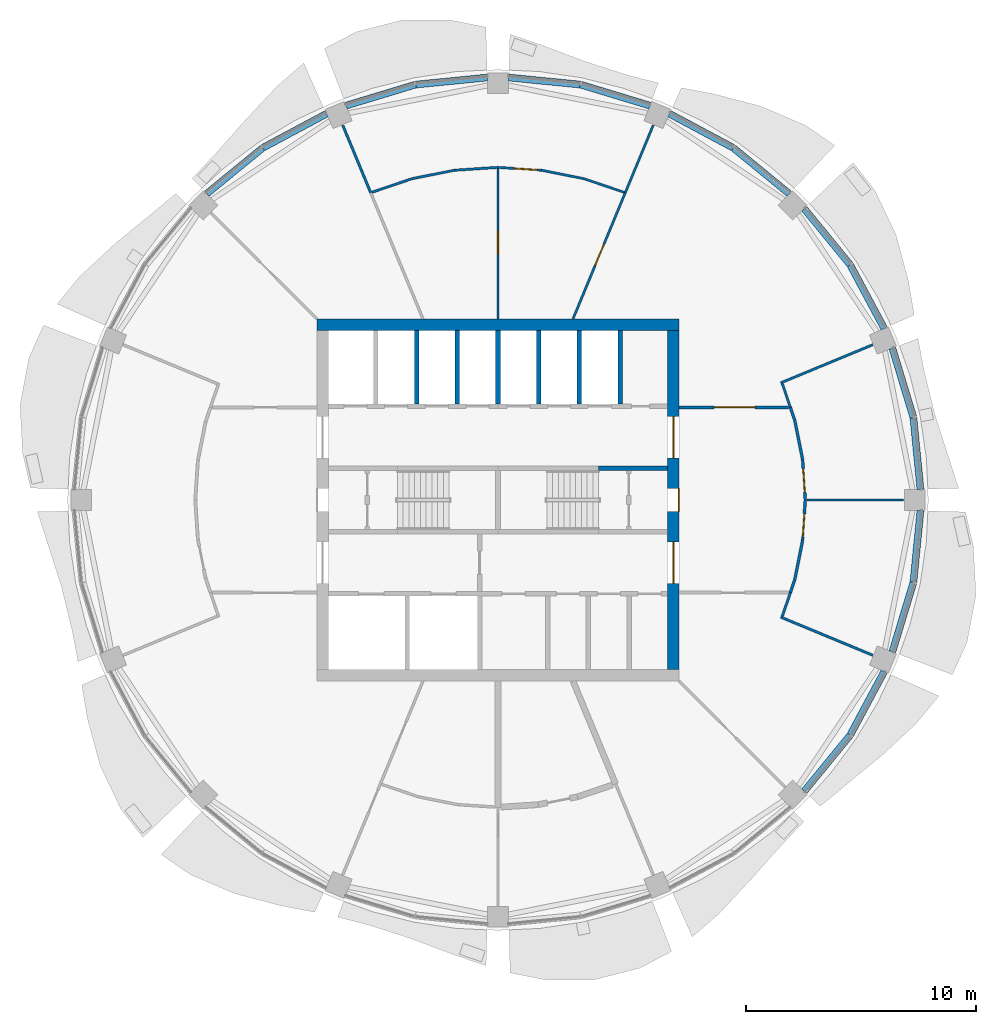
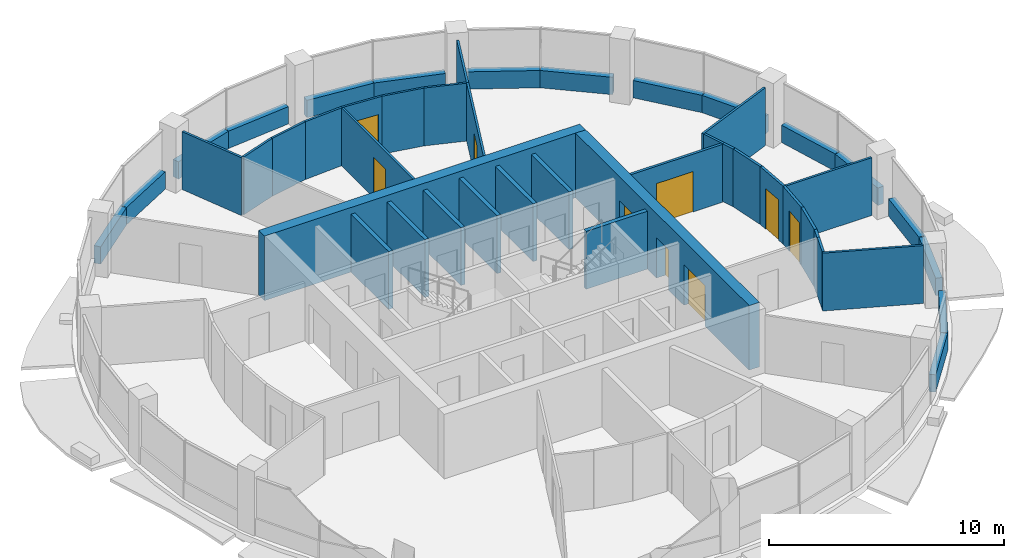
# One storey, part 10 of 15: 47 walls, 9 doors, 9 openings.
"""IFC4 building model written with IfcOpenShell, lengths in metres."""

from ifc_helpers import new_model, si_unit, direction, frame, frame_2d, origin, place, context, subcontext, project, spatial, rectangle, extrude, material, layer, layer_set, type_object, element, fill, save


model = new_model("IFC4")

# Units and contexts
model_context = context("Model", 3, precision=1e-05, world=origin(), true_north=direction((0.0, 1.0)))
body_context = subcontext(model_context, "Body", "Model", "MODEL_VIEW")
ifc_project = project(units=[si_unit("LENGTHUNIT", "METRE"), si_unit("AREAUNIT", "SQUARE_METRE"), si_unit("VOLUMEUNIT", "CUBIC_METRE"), si_unit("PLANEANGLEUNIT", "RADIAN"), si_unit("MASSUNIT", "GRAM", prefix="KILO")], contexts=[model_context])

# Site, building, storey
site_placement = place(None, origin())
site = spatial("IfcSite", under=ifc_project, at=site_placement, CompositionType="ELEMENT")
building_placement = place(site_placement, origin())
building = spatial("IfcBuilding", under=site, at=building_placement, Name="Polderwave Tower", CompositionType="ELEMENT")
storey_placement = place(building_placement, frame((0.0, 0.0, 167.550048828125)))
storey = spatial("IfcBuildingStorey", under=building, at=storey_placement, Name="L44", CompositionType="ELEMENT", Elevation=167.550048828125)

# Wall
ifc_material_1 = material(Name="Concrete C60/75", Category="concrete")
ifc_layer_1 = layer(ifc_material_1, 0.5)
ifc_layer_set_1 = layer_set([ifc_layer_1], Name="CORE WALL 500 C60/75")
wall_type_1 = type_object("IfcWallType", Name="CORE WALL 500 C60/75", PredefinedType="SHEAR", material=ifc_layer_set_1)
wall_1_placement = place(storey_placement, frame((-7.8740234375, 7.6240234375, 0.0), z_axis=(0.0, 0.0, 1.0), x_axis=(1.0, 0.0, 0.0)))
element("IfcWall", 1, at=wall_1_placement, inside=storey, type_object=wall_type_1, Name="ST-CORE-L44-N", PredefinedType="SHEAR", context=body_context, shape_type="SweptSolid", body=[
    extrude(rectangle(XDim=15.748046875, YDim=0.5, at=frame_2d((7.8740234375, 0.0))), origin(), (0.0, 0.0, 1.0), 3.349853515625),
])

# Wall, openings, doors
wall_2_placement = place(storey_placement, frame((7.6240234375, -7.3740234375, 0.0), z_axis=(0.0, 0.0, 1.0), x_axis=(0.0, 1.0, 0.0)))
wall_2 = element("IfcWall", 2, at=wall_2_placement, inside=storey, type_object=wall_type_1, Name="ST-CORE-L44-E", PredefinedType="SHEAR", context=body_context, shape_type="SweptSolid", body=[
    extrude(rectangle(XDim=14.748046875, YDim=0.5, at=frame_2d((7.3740234375, 0.0))), origin(), (0.0, 0.0, 1.0), 3.349853515625),
])
opening_1_placement = place(wall_2_placement, frame((6.8740234375, 0.0, 0.0)))
opening_1 = element("IfcOpeningElement", 3, at=opening_1_placement, cuts=wall_2, Name="Opening L44-D23", PredefinedType="OPENING", context=body_context, shape_type="SweptSolid", body=[
    extrude(rectangle(XDim=1.0, YDim=2.10009765625, at=frame_2d((0.5, 1.050048828125))), frame((0.0, 0.260009765625, 0.0), z_axis=(0.0, -1.0, 0.0), x_axis=(1.0, 0.0, 0.0)), (0.0, 0.0, 1.0), 0.52001953125),
])
opening_2_placement = place(wall_2_placement, frame((3.74951171875, 0.0, 0.0)))
opening_2 = element("IfcOpeningElement", 4, at=opening_2_placement, cuts=wall_2, Name="Opening L44-D24", PredefinedType="OPENING", context=body_context, shape_type="SweptSolid", body=[
    extrude(rectangle(XDim=1.800048828125, YDim=2.10009765625, at=frame_2d((0.89990234375, 1.050048828125))), frame((0.0, 0.260009765625, 0.0), z_axis=(0.0, -1.0, 0.0), x_axis=(1.0, 0.0, 0.0)), (0.0, 0.0, 1.0), 0.52001953125),
])
opening_3_placement = place(wall_2_placement, frame((9.198486328125, 0.0, 0.0)))
opening_3 = element("IfcOpeningElement", 5, at=opening_3_placement, cuts=wall_2, Name="Opening L44-D25", PredefinedType="OPENING", context=body_context, shape_type="SweptSolid", body=[
    extrude(rectangle(XDim=1.800048828125, YDim=2.10009765625, at=frame_2d((0.89990234375, 1.050048828125))), frame((0.0, 0.260009765625, 0.0), z_axis=(0.0, -1.0, 0.0), x_axis=(1.0, 0.0, 0.0)), (0.0, 0.0, 1.0), 0.52001953125),
])
ifc_material_2 = material(Name="Steel fire door", Category="steel")
door_type_1 = type_object("IfcDoorType", Name="Lobby entry door pair 1800", OperationType="DOUBLE_DOOR_SINGLE_SWING", PredefinedType="DOOR", material=ifc_material_2)
door_1_placement = place(opening_2_placement, frame((1.800048828125, 0.0, 0.0), z_axis=(0.0, 0.0, 1.0), x_axis=(-1.0, 0.0, 0.0)))
door_1 = element("IfcDoor", 6, at=door_1_placement, inside=storey, type_object=door_type_1, Name="South lobby entry door", OperationType="DOUBLE_DOOR_SINGLE_SWING", OverallHeight=2.10009765625, OverallWidth=1.800048828125, PredefinedType="DOOR", context=body_context, shape_type="SweptSolid", body=[
    extrude(rectangle(XDim=1.800048828125, YDim=2.10009765625, at=frame_2d((0.89990234375, 1.050048828125))), frame((0.0, 0.02490234375, 0.0), z_axis=(0.0, -1.0, 0.0), x_axis=(1.0, 0.0, 0.0)), (0.0, 0.0, 1.0), 0.050048828125),
])
fill(opening_2, door_1)
door_2_placement = place(opening_3_placement, frame((1.800048828125, 0.0, 0.0), z_axis=(0.0, 0.0, 1.0), x_axis=(-1.0, 0.0, 0.0)))
door_2 = element("IfcDoor", 7, at=door_2_placement, inside=storey, type_object=door_type_1, Name="North lobby entry door", OperationType="DOUBLE_DOOR_SINGLE_SWING", OverallHeight=2.10009765625, OverallWidth=1.800048828125, PredefinedType="DOOR", context=body_context, shape_type="SweptSolid", body=[
    extrude(rectangle(XDim=1.800048828125, YDim=2.10009765625, at=frame_2d((0.89990234375, 1.050048828125))), frame((0.0, 0.02490234375, 0.0), z_axis=(0.0, -1.0, 0.0), x_axis=(1.0, 0.0, 0.0)), (0.0, 0.0, 1.0), 0.050048828125),
])
fill(opening_3, door_2)
door_type_2 = type_object("IfcDoorType", Name="Stair door 1000", OperationType="NOTDEFINED", PredefinedType="DOOR", material=ifc_material_2)
door_3_placement = place(opening_1_placement, frame((1.0, 0.0, 0.0), z_axis=(0.0, 0.0, 1.0), x_axis=(-1.0, 0.0, 0.0)))
door_3 = element("IfcDoor", 8, at=door_3_placement, inside=storey, type_object=door_type_2, Name="Stair B entry door", OperationType="SINGLE_SWING_LEFT", OverallHeight=2.10009765625, OverallWidth=1.0, PredefinedType="DOOR", context=body_context, shape_type="SweptSolid", body=[
    extrude(rectangle(XDim=1.0, YDim=2.10009765625, at=frame_2d((0.5, 1.050048828125))), frame((0.0, 0.25, 0.0), z_axis=(0.0, -1.0, 0.0), x_axis=(1.0, 0.0, 0.0)), (0.0, 0.0, 1.0), 0.050048828125),
])
fill(opening_1, door_3)

# Walls
ifc_material_3 = material(Name="Concrete C50/60 (board-marked)", Category="concrete")
ifc_layer_2 = layer(ifc_material_3, 0.300048828125)
ifc_layer_set_2 = layer_set([ifc_layer_2], Name="Concrete spandrel upstand C50/60")
wall_type_2 = type_object("IfcWallType", Name="Concrete spandrel upstand C50/60", PredefinedType="SOLIDWALL", material=ifc_layer_set_2)
wall_3_placement = place(storey_placement, frame((18.3544921875, 0.4638671875, 0.0), z_axis=(0.0, 0.0, 1.0), x_axis=(-0.098188848083, 0.995167799978, 0.0)))
element("IfcWall", 9, at=wall_3_placement, inside=storey, type_object=wall_type_2, Name="Spandrel L44 1a", PredefinedType="SOLIDWALL", context=body_context, shape_type="SweptSolid", body=[
    extrude(rectangle(XDim=3.12548828125, YDim=0.300048828125, at=frame_2d((1.562744140625, 0.0))), origin(), (0.0, 0.0, 1.0), 0.89990234375),
])
wall_4_placement = place(storey_placement, frame((18.04150390625, 3.603515625, 0.0), z_axis=(0.0, 0.0, 1.0), x_axis=(-0.290083245834, 0.957001416136, 0.0)))
element("IfcWall", 10, at=wall_4_placement, inside=storey, type_object=wall_type_2, Name="Spandrel L44 1b", PredefinedType="SOLIDWALL", context=body_context, shape_type="SweptSolid", body=[
    extrude(rectangle(XDim=3.126708984375, YDim=0.300048828125, at=frame_2d((1.5634765625, 0.0))), origin(), (0.0, 0.0, 1.0), 0.89990234375),
])
wall_5_placement = place(storey_placement, frame((16.77880859375, 7.4521484375, 0.0), z_axis=(0.0, 0.0, 1.0), x_axis=(-0.47120441036, 0.882024038027, 0.0)))
element("IfcWall", 11, at=wall_5_placement, inside=storey, type_object=wall_type_2, Name="Spandrel L44 2a", PredefinedType="SOLIDWALL", context=body_context, shape_type="SweptSolid", body=[
    extrude(rectangle(XDim=3.125244140625, YDim=0.300048828125, at=frame_2d((1.5625, 0.0))), origin(), (0.0, 0.0, 1.0), 0.89990234375),
])
for number, where, z_axis, x_axis, name in (
    (12, (15.28955078125, 10.233642578125, 0.0), (0.0, 0.0, 1.0), (-0.634198158195, 0.773170547901, 0.0), "Spandrel L44 2b"),
    (13, (12.6513671875, 13.306396484375, 0.0), (0.0, 0.0, 1.0), (-0.773170547901, 0.634198158195, 0.0), "Spandrel L44 3a"),
):
    element("IfcWall", number, at=place(storey_placement, frame(where, z_axis=z_axis, x_axis=x_axis)), inside=storey, type_object=wall_type_2, Name=name, PredefinedType="SOLIDWALL", context=body_context, shape_type="SweptSolid", body=[
        extrude(rectangle(XDim=3.126953125, YDim=0.300048828125, at=frame_2d((1.5634765625, 0.0))), origin(), (0.0, 0.0, 1.0), 0.89990234375),
    ])
wall_6_placement = place(storey_placement, frame((10.208740234375, 15.30615234375, 0.0), z_axis=(0.0, 0.0, 1.0), x_axis=(-0.882024038027, 0.47120441036, 0.0)))
element("IfcWall", 14, at=wall_6_placement, inside=storey, type_object=wall_type_2, Name="Spandrel L44 3b", PredefinedType="SOLIDWALL", context=body_context, shape_type="SweptSolid", body=[
    extrude(rectangle(XDim=3.125244140625, YDim=0.300048828125, at=frame_2d((1.5625, 0.0))), origin(), (0.0, 0.0, 1.0), 0.89990234375),
])
wall_7_placement = place(storey_placement, frame((6.595703125, 17.134521484375, 0.0), z_axis=(0.0, 0.0, 1.0), x_axis=(-0.957001416136, 0.290083245834, 0.0)))
element("IfcWall", 15, at=wall_7_placement, inside=storey, type_object=wall_type_2, Name="Spandrel L44 4a", PredefinedType="SOLIDWALL", context=body_context, shape_type="SweptSolid", body=[
    extrude(rectangle(XDim=3.126708984375, YDim=0.300048828125, at=frame_2d((1.5634765625, 0.0))), origin(), (0.0, 0.0, 1.0), 0.89990234375),
])
for number, where, z_axis, x_axis, name in (
    (16, (3.57421875, 18.047607421875, 0.0), (0.0, 0.0, 1.0), (-0.995167799978, 0.098188848083, 0.0), "Spandrel L44 4b"),
    (17, (-0.4638671875, 18.3544921875, 0.0), (0.0, 0.0, 1.0), (-0.995167799978, -0.098188848083, 0.0), "Spandrel L44 5a"),
):
    element("IfcWall", number, at=place(storey_placement, frame(where, z_axis=z_axis, x_axis=x_axis)), inside=storey, type_object=wall_type_2, Name=name, PredefinedType="SOLIDWALL", context=body_context, shape_type="SweptSolid", body=[
        extrude(rectangle(XDim=3.12548828125, YDim=0.300048828125, at=frame_2d((1.562744140625, 0.0))), origin(), (0.0, 0.0, 1.0), 0.89990234375),
    ])
wall_8_placement = place(storey_placement, frame((-3.603515625, 18.04150390625, 0.0), z_axis=(0.0, 0.0, 1.0), x_axis=(-0.957001416136, -0.290083245834, 0.0)))
element("IfcWall", 18, at=wall_8_placement, inside=storey, type_object=wall_type_2, Name="Spandrel L44 5b", PredefinedType="SOLIDWALL", context=body_context, shape_type="SweptSolid", body=[
    extrude(rectangle(XDim=3.126708984375, YDim=0.300048828125, at=frame_2d((1.5634765625, 0.0))), origin(), (0.0, 0.0, 1.0), 0.89990234375),
])
wall_9_placement = place(storey_placement, frame((-7.4521484375, 16.77880859375, 0.0), z_axis=(0.0, 0.0, 1.0), x_axis=(-0.882024038027, -0.47120441036, 0.0)))
element("IfcWall", 19, at=wall_9_placement, inside=storey, type_object=wall_type_2, Name="Spandrel L44 6a", PredefinedType="SOLIDWALL", context=body_context, shape_type="SweptSolid", body=[
    extrude(rectangle(XDim=3.125244140625, YDim=0.300048828125, at=frame_2d((1.5625, 0.0))), origin(), (0.0, 0.0, 1.0), 0.89990234375),
])
for number, where, z_axis, x_axis, name in (
    (20, (-10.233642578125, 15.28955078125, 0.0), (0.0, 0.0, 1.0), (-0.773170547901, -0.634198158195, 0.0), "Spandrel L44 6b"),
    (21, (13.306396484375, -12.6513671875, 0.0), (0.0, 0.0, 1.0), (0.634198158195, 0.773170547901, 0.0), "Spandrel L44 15a"),
):
    element("IfcWall", number, at=place(storey_placement, frame(where, z_axis=z_axis, x_axis=x_axis)), inside=storey, type_object=wall_type_2, Name=name, PredefinedType="SOLIDWALL", context=body_context, shape_type="SweptSolid", body=[
        extrude(rectangle(XDim=3.126953125, YDim=0.300048828125, at=frame_2d((1.5634765625, 0.0))), origin(), (0.0, 0.0, 1.0), 0.89990234375),
    ])
wall_10_placement = place(storey_placement, frame((15.30615234375, -10.208740234375, 0.0), z_axis=(0.0, 0.0, 1.0), x_axis=(0.47120441036, 0.882024038027, 0.0)))
element("IfcWall", 22, at=wall_10_placement, inside=storey, type_object=wall_type_2, Name="Spandrel L44 15b", PredefinedType="SOLIDWALL", context=body_context, shape_type="SweptSolid", body=[
    extrude(rectangle(XDim=3.125244140625, YDim=0.300048828125, at=frame_2d((1.5625, 0.0))), origin(), (0.0, 0.0, 1.0), 0.89990234375),
])
wall_11_placement = place(storey_placement, frame((17.134521484375, -6.595703125, 0.0), z_axis=(0.0, 0.0, 1.0), x_axis=(0.290083245834, 0.957001416136, 0.0)))
element("IfcWall", 23, at=wall_11_placement, inside=storey, type_object=wall_type_2, Name="Spandrel L44 16a", PredefinedType="SOLIDWALL", context=body_context, shape_type="SweptSolid", body=[
    extrude(rectangle(XDim=3.126708984375, YDim=0.300048828125, at=frame_2d((1.5634765625, 0.0))), origin(), (0.0, 0.0, 1.0), 0.89990234375),
])
wall_12_placement = place(storey_placement, frame((18.047607421875, -3.57421875, 0.0), z_axis=(0.0, 0.0, 1.0), x_axis=(0.098188848083, 0.995167799978, 0.0)))
element("IfcWall", 24, at=wall_12_placement, inside=storey, type_object=wall_type_2, Name="Spandrel L44 16b", PredefinedType="SOLIDWALL", context=body_context, shape_type="SweptSolid", body=[
    extrude(rectangle(XDim=3.12548828125, YDim=0.300048828125, at=frame_2d((1.562744140625, 0.0))), origin(), (0.0, 0.0, 1.0), 0.89990234375),
])
ifc_material_4 = material(Name="Concrete C50/60", Category="concrete")
ifc_layer_3 = layer(ifc_material_4, 0.199951171875)
ifc_layer_set_3 = layer_set([ifc_layer_3], Name="Core web wall 200")
wall_type_3 = type_object("IfcWallType", Name="Core web wall 200", PredefinedType="SHEAR", material=ifc_layer_set_3)
wall_13_placement = place(storey_placement, frame((4.3740234375, 1.375, 0.0), z_axis=(0.0, 0.0, 1.0), x_axis=(1.0, 0.0, 0.0)))
element("IfcWall", 25, at=wall_13_placement, inside=storey, type_object=wall_type_3, Name="L44 north stair wall 4", PredefinedType="SHEAR", context=body_context, shape_type="SweptSolid", body=[
    extrude(rectangle(XDim=3.0, YDim=0.199951171875, at=frame_2d((1.5, 0.0))), origin(), (0.0, 0.0, 1.0), 3.0),
])
ifc_material_5 = material(Name="Fire-resisting board on steel studs", Category="steel")
ifc_layer_4 = layer(ifc_material_5, 0.125)
ifc_layer_set_4 = layer_set([ifc_layer_4], Name="Corridor wall 125 mm EI 60")
wall_type_4 = type_object("IfcWallType", Name="Corridor wall 125 mm EI 60", PredefinedType="PARTITIONING", material=ifc_layer_set_4)
wall_14_placement = place(storey_placement, frame((12.701904296875, 4.0244140625, 0.0), z_axis=(0.0, 0.0, 1.0), x_axis=(0.321374914787, -0.946952038989, 0.0)))
element("IfcWall", 26, at=wall_14_placement, inside=storey, type_object=wall_type_4, Name="IN-L44-W001", PredefinedType="PARTITIONING", context=body_context, shape_type="SweptSolid", body=[
    extrude(rectangle(XDim=0.59716796875, YDim=0.125, at=frame_2d((0.298583984375, 0.0))), origin(), (0.0, 0.0, 1.0), 3.0),
])
wall_15_placement = place(storey_placement, frame((12.89599609375, 3.451171875, 0.0), z_axis=(0.0, 0.0, 1.0), x_axis=(0.195116516296, -0.980780069673, 0.0)))
element("IfcWall", 27, at=wall_15_placement, inside=storey, type_object=wall_type_4, Name="IN-L44-W002", PredefinedType="PARTITIONING", context=body_context, shape_type="SweptSolid", body=[
    extrude(rectangle(XDim=1.738037109375, YDim=0.125, at=frame_2d((0.869140625, 0.0))), origin(), (0.0, 0.0, 1.0), 3.0),
])

# Wall, opening, door
wall_16_placement = place(storey_placement, frame((13.236083984375, 1.73828125, 0.0), z_axis=(0.0, 0.0, 1.0), x_axis=(0.065449256286, -0.997855898841, 0.0)))
wall_16 = element("IfcWall", 28, at=wall_16_placement, inside=storey, type_object=wall_type_4, Name="IN-L44-W003", PredefinedType="PARTITIONING", context=body_context, shape_type="SweptSolid", body=[
    extrude(rectangle(XDim=1.741943359375, YDim=0.125, at=frame_2d((0.87109375, 0.0))), origin(), (0.0, 0.0, 1.0), 3.0),
])
opening_4_placement = place(wall_16_placement, frame((0.39990234375, 0.0, 0.0)))
opening_4 = element("IfcOpeningElement", 29, at=opening_4_placement, cuts=wall_16, Name="Opening L44-D50", PredefinedType="OPENING", context=body_context, shape_type="SweptSolid", body=[
    extrude(rectangle(XDim=1.0, YDim=2.10009765625, at=frame_2d((0.5, 1.050048828125))), frame((0.0, 0.072509765625, 0.0), z_axis=(0.0, -1.0, 0.0), x_axis=(1.0, 0.0, 0.0)), (0.0, 0.0, 1.0), 0.14501953125),
])
ifc_material_6 = material(Name="Timber fire door leaf", Category="wood")
door_type_3 = type_object("IfcDoorType", Name="Fire door FD30S 1000 x 2100", OperationType="NOTDEFINED", PredefinedType="DOOR", material=ifc_material_6)
door_4_placement = place(opening_4_placement, origin())
door_4 = element("IfcDoor", 30, at=door_4_placement, inside=storey, type_object=door_type_3, Name="Door L44-D50", OperationType="SINGLE_SWING_RIGHT", OverallHeight=2.10009765625, OverallWidth=1.0, PredefinedType="DOOR", context=body_context, shape_type="SweptSolid", body=[
    extrude(rectangle(XDim=1.0, YDim=2.10009765625, at=frame_2d((0.5, 1.050048828125))), frame((0.0, 0.02490234375, 0.0), z_axis=(0.0, -1.0, 0.0), x_axis=(1.0, 0.0, 0.0)), (0.0, 0.0, 1.0), 0.050048828125),
])
fill(opening_4, door_4)

wall_17_placement = place(storey_placement, frame((7.8740234375, 4.0244140625, 0.0), z_axis=(0.0, 0.0, 1.0), x_axis=(1.0, 0.0, 0.0)))
wall_17 = element("IfcWall", 31, at=wall_17_placement, inside=storey, type_object=wall_type_4, Name="IN-L44-W004", PredefinedType="PARTITIONING", context=body_context, shape_type="SweptSolid", body=[
    extrude(rectangle(XDim=4.74072265625, YDim=0.125, at=frame_2d((2.370361328125, 0.0))), origin(), (0.0, 0.0, 1.0), 3.0),
])
opening_5_placement = place(wall_17_placement, frame((1.5, 0.0, 0.0)))
opening_5 = element("IfcOpeningElement", 32, at=opening_5_placement, cuts=wall_17, Name="Opening L44-D51", PredefinedType="OPENING", context=body_context, shape_type="SweptSolid", body=[
    extrude(rectangle(XDim=1.800048828125, YDim=2.10009765625, at=frame_2d((0.89990234375, 1.050048828125))), frame((0.0, 0.072509765625, 0.0), z_axis=(0.0, -1.0, 0.0), x_axis=(1.0, 0.0, 0.0)), (0.0, 0.0, 1.0), 0.14501953125),
])
ifc_material_7 = material(Name="Timber fire door leaves", Category="wood")
door_type_4 = type_object("IfcDoorType", Name="Double fire door FD30S 1800 x 2100", OperationType="NOTDEFINED", PredefinedType="DOOR", material=ifc_material_7)
door_5_placement = place(opening_5_placement, origin())
door_5 = element("IfcDoor", 33, at=door_5_placement, inside=storey, type_object=door_type_4, Name="Door L44-D51", OperationType="DOUBLE_DOOR_SINGLE_SWING", OverallHeight=2.10009765625, OverallWidth=1.800048828125, PredefinedType="DOOR", context=body_context, shape_type="SweptSolid", body=[
    extrude(rectangle(XDim=1.800048828125, YDim=2.10009765625, at=frame_2d((0.89990234375, 1.050048828125))), frame((0.0, 0.02490234375, 0.0), z_axis=(0.0, -1.0, 0.0), x_axis=(1.0, 0.0, 0.0)), (0.0, 0.0, 1.0), 0.050048828125),
])
fill(opening_5, door_5)

# Walls
wall_18_placement = place(storey_placement, frame((12.893798828125, -3.458984375, 0.0), z_axis=(0.0, 0.0, 1.0), x_axis=(-0.321374914787, -0.946952038989, 0.0)))
element("IfcWall", 34, at=wall_18_placement, inside=storey, type_object=wall_type_4, Name="IN-L44-W006", PredefinedType="PARTITIONING", context=body_context, shape_type="SweptSolid", body=[
    extrude(rectangle(XDim=0.59716796875, YDim=0.125, at=frame_2d((0.298583984375, 0.0))), origin(), (0.0, 0.0, 1.0), 3.0),
])
wall_19_placement = place(storey_placement, frame((13.235107421875, -1.74658203125, 0.0), z_axis=(0.0, 0.0, 1.0), x_axis=(-0.195116516296, -0.980780069673, 0.0)))
element("IfcWall", 35, at=wall_19_placement, inside=storey, type_object=wall_type_4, Name="IN-L44-W007", PredefinedType="PARTITIONING", context=body_context, shape_type="SweptSolid", body=[
    extrude(rectangle(XDim=1.738037109375, YDim=0.125, at=frame_2d((0.869140625, 0.0))), origin(), (0.0, 0.0, 1.0), 3.0),
])

# Wall, opening, door
wall_20_placement = place(storey_placement, frame((13.35009765625, 0.0, 0.0), z_axis=(0.0, 0.0, 1.0), x_axis=(-0.065449256286, -0.997855898841, 0.0)))
wall_20 = element("IfcWall", 36, at=wall_20_placement, inside=storey, type_object=wall_type_4, Name="IN-L44-W008", PredefinedType="PARTITIONING", context=body_context, shape_type="SweptSolid", body=[
    extrude(rectangle(XDim=1.741943359375, YDim=0.125, at=frame_2d((0.87109375, 0.0))), origin(), (0.0, 0.0, 1.0), 3.0),
])
opening_6_placement = place(wall_20_placement, frame((0.60009765625, 0.0, 0.0)))
opening_6 = element("IfcOpeningElement", 37, at=opening_6_placement, cuts=wall_20, Name="Opening L44-D53", PredefinedType="OPENING", context=body_context, shape_type="SweptSolid", body=[
    extrude(rectangle(XDim=1.0, YDim=2.10009765625, at=frame_2d((0.5, 1.050048828125))), frame((0.0, 0.072509765625, 0.0), z_axis=(0.0, -1.0, 0.0), x_axis=(1.0, 0.0, 0.0)), (0.0, 0.0, 1.0), 0.14501953125),
])
door_6_placement = place(opening_6_placement, origin())
door_6 = element("IfcDoor", 38, at=door_6_placement, inside=storey, type_object=door_type_3, Name="Door L44-D53", OperationType="SINGLE_SWING_RIGHT", OverallHeight=2.10009765625, OverallWidth=1.0, PredefinedType="DOOR", context=body_context, shape_type="SweptSolid", body=[
    extrude(rectangle(XDim=1.0, YDim=2.10009765625, at=frame_2d((0.5, 1.050048828125))), frame((0.0, 0.02490234375, 0.0), z_axis=(0.0, -1.0, 0.0), x_axis=(1.0, 0.0, 0.0)), (0.0, 0.0, 1.0), 0.050048828125),
])
fill(opening_6, door_6)

ifc_material_8 = material(Name="Plasterboard on steel studs", Category="steel")
ifc_layer_5 = layer(ifc_material_8, 0.10009765625)
ifc_layer_set_5 = layer_set([ifc_layer_5], Name="Partition 100 mm plasterboard on steel studs")
wall_type_5 = type_object("IfcWallType", Name="Partition 100 mm plasterboard on steel studs", PredefinedType="PARTITIONING", material=ifc_layer_set_5)
wall_21_placement = place(storey_placement, frame((3.261474609375, 7.8740234375, 0.0), z_axis=(0.0, 0.0, 1.0), x_axis=(0.382690105068, 0.923876768559, 0.0)))
wall_21 = element("IfcWall", 39, at=wall_21_placement, inside=storey, type_object=wall_type_5, Name="IN-L44-W020", PredefinedType="PARTITIONING", context=body_context, shape_type="SweptSolid", body=[
    extrude(rectangle(XDim=5.92724609375, YDim=0.10009765625, at=frame_2d((2.963623046875, 0.0))), origin(), (0.0, 0.0, 1.0), 3.0),
])
opening_7_placement = place(wall_21_placement, frame((2.5, 0.0, 0.0)))
opening_7 = element("IfcOpeningElement", 40, at=opening_7_placement, cuts=wall_21, Name="Opening L44-D57", PredefinedType="OPENING", context=body_context, shape_type="SweptSolid", body=[
    extrude(rectangle(XDim=1.0, YDim=2.10009765625, at=frame_2d((0.5, 1.050048828125))), frame((0.0, 0.06005859375, 0.0), z_axis=(0.0, -1.0, 0.0), x_axis=(1.0, 0.0, 0.0)), (0.0, 0.0, 1.0), 0.1201171875),
])
ifc_material_9 = material(Name="Timber veneer door leaf", Category="wood")
door_type_5 = type_object("IfcDoorType", Name="Single door 1000 x 2100", OperationType="NOTDEFINED", PredefinedType="DOOR", material=ifc_material_9)
door_7_placement = place(opening_7_placement, origin())
door_7 = element("IfcDoor", 41, at=door_7_placement, inside=storey, type_object=door_type_5, Name="Door L44-D57", OperationType="SINGLE_SWING_RIGHT", OverallHeight=2.10009765625, OverallWidth=1.0, PredefinedType="DOOR", context=body_context, shape_type="SweptSolid", body=[
    extrude(rectangle(XDim=1.0, YDim=2.10009765625, at=frame_2d((0.5, 1.050048828125))), frame((0.0, 0.02490234375, 0.0), z_axis=(0.0, -1.0, 0.0), x_axis=(1.0, 0.0, 0.0)), (0.0, 0.0, 1.0), 0.050048828125),
])
fill(opening_7, door_7)

# Wall
wall_22_placement = place(storey_placement, frame((5.52978515625, 13.35009765625, 0.0), z_axis=(0.0, 0.0, 1.0), x_axis=(0.382689618566, 0.923876970079, 0.0)))
element("IfcWall", 42, at=wall_22_placement, inside=storey, type_object=wall_type_5, Name="IN-L44-W021", PredefinedType="PARTITIONING", context=body_context, shape_type="SweptSolid", body=[
    extrude(rectangle(XDim=3.169921875, YDim=0.10009765625, at=frame_2d((1.5849609375, 0.0))), origin(), (0.0, 0.0, 1.0), 3.0),
])

# Wall, opening, door
wall_23_placement = place(storey_placement, frame((0.0, 14.449951171875, 0.0), z_axis=(0.0, 0.0, 1.0), x_axis=(0.997862900294, -0.065342422802, 0.0)))
wall_23 = element("IfcWall", 43, at=wall_23_placement, inside=storey, type_object=wall_type_5, Name="IN-L44-W022", PredefinedType="PARTITIONING", context=body_context, shape_type="SweptSolid", body=[
    extrude(rectangle(XDim=1.886962890625, YDim=0.10009765625, at=frame_2d((0.943359375, 0.0))), origin(), (0.0, 0.0, 1.0), 3.0),
])
opening_8_placement = place(wall_23_placement, frame((0.699951171875, 0.0, 0.0)))
opening_8 = element("IfcOpeningElement", 44, at=opening_8_placement, cuts=wall_23, Name="Opening L44-D58", PredefinedType="OPENING", context=body_context, shape_type="SweptSolid", body=[
    extrude(rectangle(XDim=1.0, YDim=2.10009765625, at=frame_2d((0.5, 1.050048828125))), frame((0.0, 0.06005859375, 0.0), z_axis=(0.0, -1.0, 0.0), x_axis=(1.0, 0.0, 0.0)), (0.0, 0.0, 1.0), 0.1201171875),
])
door_8_placement = place(opening_8_placement, origin())
door_8 = element("IfcDoor", 45, at=door_8_placement, inside=storey, type_object=door_type_5, Name="Door L44-D58", OperationType="SINGLE_SWING_RIGHT", OverallHeight=2.10009765625, OverallWidth=1.0, PredefinedType="DOOR", context=body_context, shape_type="SweptSolid", body=[
    extrude(rectangle(XDim=1.0, YDim=2.10009765625, at=frame_2d((0.5, 1.050048828125))), frame((0.0, 0.02490234375, 0.0), z_axis=(0.0, -1.0, 0.0), x_axis=(1.0, 0.0, 0.0)), (0.0, 0.0, 1.0), 0.050048828125),
])
fill(opening_8, door_8)

# Walls
wall_24_placement = place(storey_placement, frame((1.889404296875, 14.32568359375, 0.0), z_axis=(0.0, 0.0, 1.0), x_axis=(0.980789493394, -0.195069140684, 0.0)))
element("IfcWall", 46, at=wall_24_placement, inside=storey, type_object=wall_type_5, Name="IN-L44-W023", PredefinedType="PARTITIONING", context=body_context, shape_type="SweptSolid", body=[
    extrude(rectangle(XDim=1.883544921875, YDim=0.10009765625, at=frame_2d((0.94189453125, 0.0))), origin(), (0.0, 0.0, 1.0), 3.0),
])
wall_25_placement = place(storey_placement, frame((3.742919921875, 13.95654296875, 0.0), z_axis=(0.0, 0.0, 1.0), x_axis=(0.946938181516, -0.321415743839, 0.0)))
element("IfcWall", 47, at=wall_25_placement, inside=storey, type_object=wall_type_5, Name="IN-L44-W024", PredefinedType="PARTITIONING", context=body_context, shape_type="SweptSolid", body=[
    extrude(rectangle(XDim=1.833740234375, YDim=0.10009765625, at=frame_2d((0.9169921875, 0.0))), origin(), (0.0, 0.0, 1.0), 3.0),
])
ifc_material_10 = material(Name="Moisture-resistant board on steel studs, tiled", Category="steel")
ifc_layer_6 = layer(ifc_material_10, 0.10498046875)
ifc_layer_set_6 = layer_set([ifc_layer_6], Name="Partition 105 mm wet room board and tile")
wall_type_6 = type_object("IfcWallType", Name="Partition 105 mm wet room board and tile", PredefinedType="PARTITIONING", material=ifc_layer_set_6)
wall_26_placement = place(storey_placement, frame((12.285400390625, 5.088623046875, 0.0), z_axis=(0.0, 0.0, 1.0), x_axis=(0.923865378524, 0.382717601325, 0.0)))
element("IfcWall", 48, at=wall_26_placement, inside=storey, type_object=wall_type_6, Name="IN-L44-W017", PredefinedType="PARTITIONING", context=body_context, shape_type="SweptSolid", body=[
    extrude(rectangle(XDim=4.322509765625, YDim=0.10498046875, at=frame_2d((2.1611328125, 0.0))), origin(), (0.0, 0.0, 1.0), 3.0),
])
wall_27_placement = place(storey_placement, frame((12.701904296875, 4.0244140625, 0.0), z_axis=(0.0, 0.0, 1.0), x_axis=(-0.321468654442, 0.946920220616, 0.0)))
element("IfcWall", 49, at=wall_27_placement, inside=storey, type_object=wall_type_6, Name="IN-L44-W018", PredefinedType="PARTITIONING", context=body_context, shape_type="SweptSolid", body=[
    extrude(rectangle(XDim=1.089111328125, YDim=0.10498046875, at=frame_2d((0.54443359375, 0.0))), origin(), (0.0, 0.0, 1.0), 3.0),
])
wall_28_placement = place(storey_placement, frame((17.6201171875, 0.0, 0.0), z_axis=(0.0, 0.0, 1.0), x_axis=(-1.0, 0.0, 0.0)))
element("IfcWall", 50, at=wall_28_placement, inside=storey, type_object=wall_type_6, Name="IN-L44-W019", PredefinedType="PARTITIONING", context=body_context, shape_type="SweptSolid", body=[
    extrude(rectangle(XDim=4.2041015625, YDim=0.10498046875, at=frame_2d((2.10205078125, 0.0))), origin(), (0.0, 0.0, 1.0), 3.0),
])

# Wall, opening, door
wall_29_placement = place(storey_placement, frame((0.0, 7.8740234375, 0.0), z_axis=(0.0, 0.0, 1.0), x_axis=(0.0, 1.0, 0.0)))
wall_29 = element("IfcWall", 51, at=wall_29_placement, inside=storey, type_object=wall_type_6, Name="IN-L44-W025", PredefinedType="PARTITIONING", context=body_context, shape_type="SweptSolid", body=[
    extrude(rectangle(XDim=6.519775390625, YDim=0.10498046875, at=frame_2d((3.259765625, 0.0))), origin(), (0.0, 0.0, 1.0), 3.0),
])
opening_9_placement = place(wall_29_placement, frame((2.800048828125, 0.0, 0.0)))
opening_9 = element("IfcOpeningElement", 52, at=opening_9_placement, cuts=wall_29, Name="Opening L44-D59", PredefinedType="OPENING", context=body_context, shape_type="SweptSolid", body=[
    extrude(rectangle(XDim=1.0, YDim=2.10009765625, at=frame_2d((0.5, 1.050048828125))), frame((0.0, 0.0625, 0.0), z_axis=(0.0, -1.0, 0.0), x_axis=(1.0, 0.0, 0.0)), (0.0, 0.0, 1.0), 0.125),
])
door_9_placement = place(opening_9_placement, origin())
door_9 = element("IfcDoor", 53, at=door_9_placement, inside=storey, type_object=door_type_5, Name="Door L44-D59", OperationType="SINGLE_SWING_RIGHT", OverallHeight=2.10009765625, OverallWidth=1.0, PredefinedType="DOOR", context=body_context, shape_type="SweptSolid", body=[
    extrude(rectangle(XDim=1.0, YDim=2.10009765625, at=frame_2d((0.5, 1.050048828125))), frame((0.0, 0.02490234375, 0.0), z_axis=(0.0, -1.0, 0.0), x_axis=(1.0, 0.0, 0.0)), (0.0, 0.0, 1.0), 0.050048828125),
])
fill(opening_9, door_9)

# Walls
wall_30_placement = place(storey_placement, frame((-3.7431640625, 13.95654296875, 0.0), z_axis=(0.0, 0.0, 1.0), x_axis=(-0.946932980831, -0.321431065415, 0.0)))
element("IfcWall", 54, at=wall_30_placement, inside=storey, type_object=wall_type_6, Name="IN-L44-W026", PredefinedType="PARTITIONING", context=body_context, shape_type="SweptSolid", body=[
    extrude(rectangle(XDim=1.828125, YDim=0.10498046875, at=frame_2d((0.9140625, 0.0))), origin(), (0.0, 0.0, 1.0), 3.0),
])
wall_31_placement = place(storey_placement, frame((-1.889404296875, 14.32568359375, 0.0), z_axis=(0.0, 0.0, 1.0), x_axis=(-0.980784560384, -0.195093941763, 0.0)))
element("IfcWall", 55, at=wall_31_placement, inside=storey, type_object=wall_type_6, Name="IN-L44-W027", PredefinedType="PARTITIONING", context=body_context, shape_type="SweptSolid", body=[
    extrude(rectangle(XDim=1.88330078125, YDim=0.10498046875, at=frame_2d((0.941650390625, 0.0))), origin(), (0.0, 0.0, 1.0), 3.0),
])
wall_32_placement = place(storey_placement, frame((0.0, 14.449951171875, 0.0), z_axis=(0.0, 0.0, 1.0), x_axis=(-0.997862900294, -0.065342422802, 0.0)))
element("IfcWall", 56, at=wall_32_placement, inside=storey, type_object=wall_type_6, Name="IN-L44-W028", PredefinedType="PARTITIONING", context=body_context, shape_type="SweptSolid", body=[
    extrude(rectangle(XDim=1.886962890625, YDim=0.10498046875, at=frame_2d((0.943359375, 0.0))), origin(), (0.0, 0.0, 1.0), 3.0),
])
ifc_material_11 = material(Name="Acoustic double plasterboard on steel studs", Category="steel")
ifc_layer_7 = layer(ifc_material_11, 0.110107421875)
ifc_layer_set_7 = layer_set([ifc_layer_7], Name="Partition 110 mm acoustic double board")
wall_type_7 = type_object("IfcWallType", Name="Partition 110 mm acoustic double board", PredefinedType="PARTITIONING", material=ifc_layer_set_7)
wall_33_placement = place(storey_placement, frame((-5.52978515625, 13.35009765625, 0.0), z_axis=(0.0, 0.0, 1.0), x_axis=(-0.382689618566, 0.923876970079, 0.0)))
element("IfcWall", 57, at=wall_33_placement, inside=storey, type_object=wall_type_7, Name="IN-L44-W029", PredefinedType="PARTITIONING", context=body_context, shape_type="SweptSolid", body=[
    extrude(rectangle(XDim=3.169921875, YDim=0.110107421875, at=frame_2d((1.5849609375, 0.0))), origin(), (0.0, 0.0, 1.0), 3.0),
])
wall_34_placement = place(storey_placement, frame((12.282958984375, -5.087890625, 0.0), z_axis=(0.0, 0.0, 1.0), x_axis=(0.923888181348, -0.382662551559, 0.0)))
element("IfcWall", 58, at=wall_34_placement, inside=storey, type_object=wall_type_7, Name="IN-L44-W049", PredefinedType="PARTITIONING", context=body_context, shape_type="SweptSolid", body=[
    extrude(rectangle(XDim=4.324951171875, YDim=0.110107421875, at=frame_2d((2.16259765625, 0.0))), origin(), (0.0, 0.0, 1.0), 3.0),
])
wall_35_placement = place(storey_placement, frame((12.701904296875, -4.0244140625, 0.0), z_axis=(0.0, 0.0, 1.0), x_axis=(-0.321346724307, -0.946961605756, 0.0)))
element("IfcWall", 59, at=wall_35_placement, inside=storey, type_object=wall_type_7, Name="IN-L44-W050", PredefinedType="PARTITIONING", context=body_context, shape_type="SweptSolid", body=[
    extrude(rectangle(XDim=1.08642578125, YDim=0.110107421875, at=frame_2d((0.543212890625, 0.0))), origin(), (0.0, 0.0, 1.0), 3.0),
])
ifc_material_12 = material(Name="Gypsum shaft wall system")
ifc_layer_8 = layer(ifc_material_12, 0.199951171875)
ifc_layer_set_8 = layer_set([ifc_layer_8], Name="Shaft wall 200")
wall_type_8 = type_object("IfcWallType", Name="Shaft wall 200", PredefinedType="PARTITIONING", material=ifc_layer_set_8)
for number, where, z_axis, x_axis, name in (
    (60, (-3.537109375, 4.174072265625, 0.0), (0.0, 0.0, 1.0), (0.0, 1.0, 0.0), "L44 lift shaft wall N2"),
    (61, (-1.7685546875, 4.174072265625, 0.0), (0.0, 0.0, 1.0), (0.0, 1.0, 0.0), "L44 lift shaft wall N3"),
    (62, (0.0, 4.174072265625, 0.0), (0.0, 0.0, 1.0), (0.0, 1.0, 0.0), "L44 lift shaft wall N4"),
    (63, (1.7685546875, 4.174072265625, 0.0), (0.0, 0.0, 1.0), (0.0, 1.0, 0.0), "L44 lift shaft wall N5"),
    (64, (3.537109375, 4.174072265625, 0.0), (0.0, 0.0, 1.0), (0.0, 1.0, 0.0), "L44 lift shaft wall N6"),
    (65, (5.305419921875, 4.174072265625, 0.0), (0.0, 0.0, 1.0), (0.0, 1.0, 0.0), "L44 lift shaft wall N7"),
):
    element("IfcWall", number, at=place(storey_placement, frame(where, z_axis=z_axis, x_axis=x_axis)), inside=storey, type_object=wall_type_8, Name=name, PredefinedType="PARTITIONING", context=body_context, shape_type="SweptSolid", body=[
        extrude(rectangle(XDim=3.199951171875, YDim=0.199951171875, at=frame_2d((1.60009765625, 0.0))), origin(), (0.0, 0.0, 1.0), 3.0),
    ])

save(model, "model.ifc")
